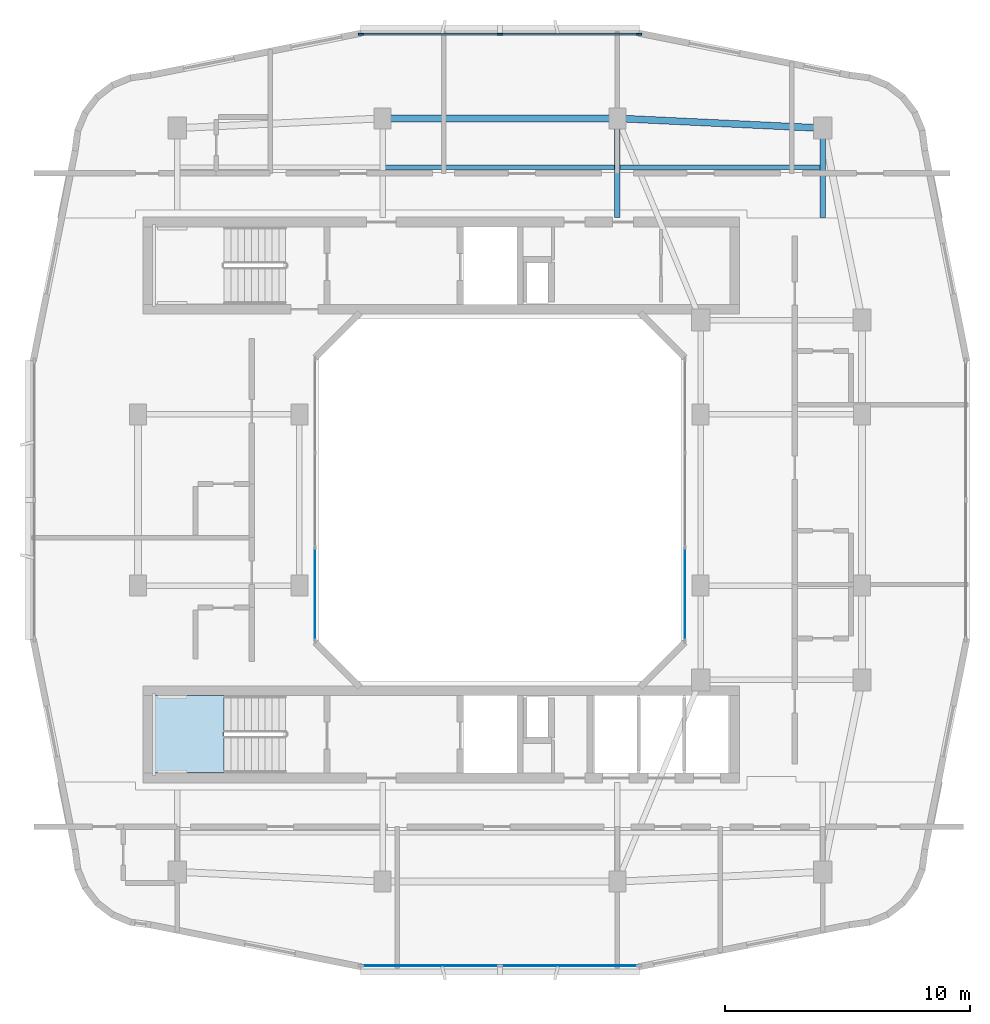
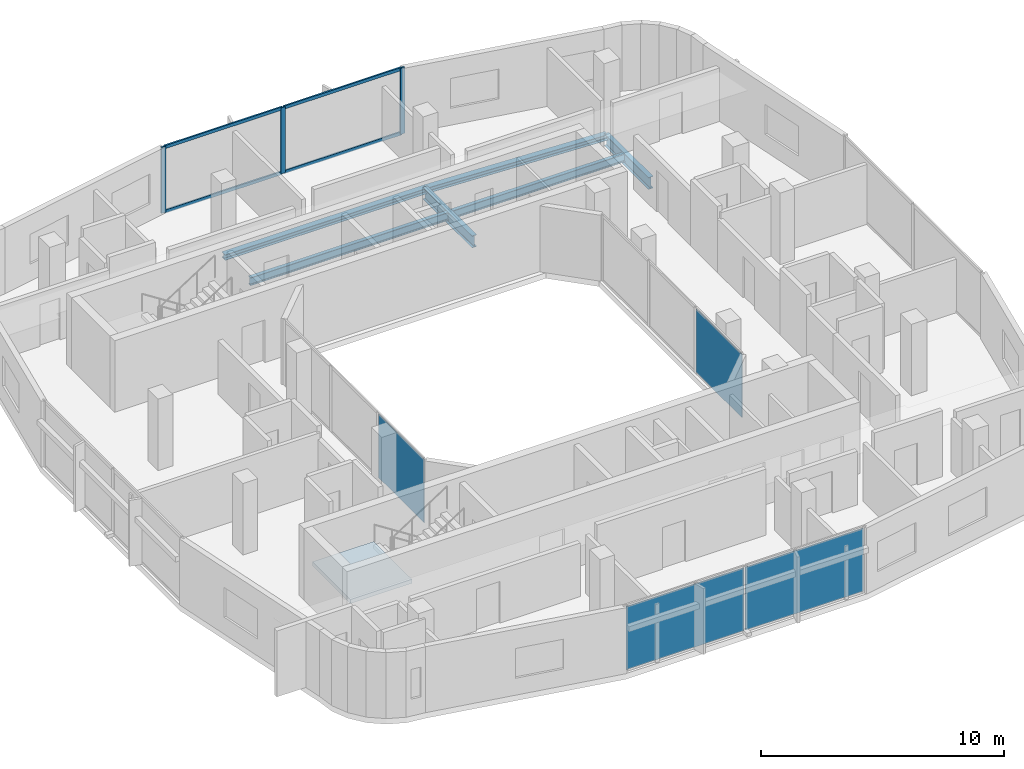
# One storey, part 5 of 14: 7 members, 6 beams, 4 plates, 1 slab, 5 elements without a shape of their own.
"""IFC4 building model written with IfcOpenShell, lengths in metres."""

from ifc_helpers import new_model, si_unit, derived_unit, direction, frame, origin, origin_2d, place, context, subcontext, project, spatial, polyline, rectangle, i_section, outline, extrude, material, layer, layer_set, material_profile, profile_set, type_object, element, aggregate, save


model = new_model("IFC4")

# Units and contexts
model_context = context("Model", 3, precision=1e-05, world=origin(), true_north=direction((0.0, 1.0)))
body_context = subcontext(model_context, "Body", "Model", "MODEL_VIEW")
ifc_project = project(units=[si_unit("LENGTHUNIT", "METRE"), si_unit("AREAUNIT", "SQUARE_METRE"), si_unit("VOLUMEUNIT", "CUBIC_METRE"), si_unit("PLANEANGLEUNIT", "RADIAN"), si_unit("MASSUNIT", "GRAM", prefix="KILO"), derived_unit("THERMALTRANSMITTANCEUNIT", [(si_unit("POWERUNIT", "WATT"), 1), (si_unit("LENGTHUNIT", "METRE"), -2), (si_unit("THERMODYNAMICTEMPERATUREUNIT", "KELVIN"), -1)])], contexts=[model_context])

# Site, building, storey
site_placement = place(None, origin())
site = spatial("IfcSite", under=ifc_project, at=site_placement, CompositionType="ELEMENT")
building_placement = place(site_placement, origin())
building = spatial("IfcBuilding", under=site, at=building_placement, Name="Kivonza Crest Hotel", CompositionType="ELEMENT")
storey_placement = place(building_placement, frame((0.0, 0.0, 209.89990234375)))
storey = spatial("IfcBuildingStorey", under=building, at=storey_placement, Name="L57", CompositionType="ELEMENT", Elevation=209.89990234375)

# Beams
ifc_material_1 = material(Name="Steel S355", Category="steel")
ifc_material_profile_1 = material_profile(ifc_material_1, i_section(OverallWidth=0.280029296875, OverallDepth=0.280029296875, WebThickness=0.010498046875, FlangeThickness=0.01806640625, FilletRadius=0.02392578125, at=origin_2d()), Name="HEB 280")
ifc_profile_set_1 = profile_set([ifc_material_profile_1], Name="Steel S355")
beam_type_1 = type_object("IfcBeamType", Name="BM-HEB280", PredefinedType="SPANDREL", material=ifc_profile_set_1)
beam_1_placement = place(storey_placement, frame((34.199951171875, 40.199951171875, -0.419921875), z_axis=(-0.998867283688, 0.047583080799, 0.0), x_axis=(-0.047583080799, -0.998867283688, 0.0)))
element("IfcBeam", 1, at=beam_1_placement, inside=storey, type_object=beam_type_1, Name="Tower T1 L57 perimeter spandrel NE-N2", PredefinedType="SPANDREL", context=body_context, shape_type="SweptSolid", body=[
    extrude(i_section(OverallWidth=0.280029296875, OverallDepth=0.280029296875, WebThickness=0.010498046875, FlangeThickness=0.01806640625, FilletRadius=0.02392578125, at=origin_2d()), origin(), (0.0, 0.0, 1.0), 8.409423828125),
])
beam_2_placement = place(storey_placement, frame((25.800048828125, 40.60009765625, -0.419921875), z_axis=(-1.0, 0.0, 0.0), x_axis=(0.0, -1.0, 0.0)))
element("IfcBeam", 2, at=beam_2_placement, inside=storey, type_object=beam_type_1, Name="Tower T1 L57 perimeter spandrel N2-N1", PredefinedType="SPANDREL", context=body_context, shape_type="SweptSolid", body=[
    extrude(i_section(OverallWidth=0.280029296875, OverallDepth=0.280029296875, WebThickness=0.010498046875, FlangeThickness=0.01806640625, FilletRadius=0.02392578125, at=origin_2d()), origin(), (0.0, 0.0, 1.0), 9.60009765625),
])
ifc_material_profile_2 = material_profile(ifc_material_1, i_section(OverallWidth=0.179931640625, OverallDepth=0.39990234375, WebThickness=0.008544921875, FlangeThickness=0.013427734375, FilletRadius=0.02099609375, at=origin_2d()), Name="IPE 400")
ifc_profile_set_2 = profile_set([ifc_material_profile_2], Name="Steel S355")
beam_type_2 = type_object("IfcBeamType", Name="BM-IPE400", PredefinedType="JOIST", material=ifc_profile_set_2)
beam_3_placement = place(storey_placement, frame((16.280029296875, 38.60009765625, -0.47998046875), z_axis=(1.0, 0.0, 0.0), x_axis=(0.0, 1.0, 0.0)))
element("IfcBeam", 3, at=beam_3_placement, inside=storey, type_object=beam_type_2, Name="Tower T1 L57 North-Mid floor joist", PredefinedType="JOIST", context=body_context, shape_type="SweptSolid", body=[
    extrude(i_section(OverallWidth=0.179931640625, OverallDepth=0.39990234375, WebThickness=0.008544921875, FlangeThickness=0.013427734375, FilletRadius=0.02099609375, at=origin_2d()), origin(), (0.0, 0.0, 1.0), 9.43994140625),
])
beam_4_placement = place(storey_placement, frame((25.8798828125, 38.60009765625, -0.47998046875), z_axis=(1.0, 0.0, 0.0), x_axis=(0.0, 1.0, 0.0)))
element("IfcBeam", 4, at=beam_4_placement, inside=storey, type_object=beam_type_2, Name="Tower T1 L57 North-East floor joist", PredefinedType="JOIST", context=body_context, shape_type="SweptSolid", body=[
    extrude(i_section(OverallWidth=0.179931640625, OverallDepth=0.39990234375, WebThickness=0.008544921875, FlangeThickness=0.013427734375, FilletRadius=0.02099609375, at=origin_2d()), origin(), (0.0, 0.0, 1.0), 8.240234375),
])
ifc_material_profile_3 = material_profile(ifc_material_1, i_section(OverallWidth=0.219970703125, OverallDepth=0.60009765625, WebThickness=0.011962890625, FlangeThickness=0.01904296875, FilletRadius=0.02392578125, at=origin_2d()), Name="IPE 600")
ifc_profile_set_3 = profile_set([ifc_material_profile_3], Name="Steel S355")
beam_type_3 = type_object("IfcBeamType", Name="BM-IPE600", PredefinedType="BEAM", material=ifc_profile_set_3)
beam_5_placement = place(storey_placement, frame((25.800048828125, 40.60009765625, -0.579833984375), z_axis=(0.0, -1.0, 0.0), x_axis=(1.0, 0.0, 0.0)))
element("IfcBeam", 5, at=beam_5_placement, inside=storey, type_object=beam_type_3, Name="Tower T1 L57 radial core girder RN2", PredefinedType="BEAM", context=body_context, shape_type="SweptSolid", body=[
    extrude(i_section(OverallWidth=0.219970703125, OverallDepth=0.60009765625, WebThickness=0.011962890625, FlangeThickness=0.01904296875, FilletRadius=0.02392578125, at=origin_2d()), origin(), (0.0, 0.0, 1.0), 4.050048828125),
])
beam_6_placement = place(storey_placement, frame((34.199951171875, 40.199951171875, -0.579833984375), z_axis=(0.0, -1.0, 0.0), x_axis=(1.0, 0.0, 0.0)))
element("IfcBeam", 6, at=beam_6_placement, inside=storey, type_object=beam_type_3, Name="Tower T1 L57 radial core girder RNE", PredefinedType="BEAM", context=body_context, shape_type="SweptSolid", body=[
    extrude(i_section(OverallWidth=0.219970703125, OverallDepth=0.60009765625, WebThickness=0.011962890625, FlangeThickness=0.01904296875, FilletRadius=0.02392578125, at=origin_2d()), origin(), (0.0, 0.0, 1.0), 3.64990234375),
])

# Curtain wall, members
ifc_material_2 = material(Name="Anodised bronze aluminium and low-E double glazing", Category="aluminium")
ifc_layer_1 = layer(ifc_material_2, 0.179931640625)
ifc_layer_set_1 = layer_set([ifc_layer_1], Name="Anodised bronze aluminium and low-E double glazing")
curtain_wall_type_1 = type_object("IfcCurtainWallType", Name="CW-SYS-3", PredefinedType="NOTDEFINED", material=ifc_layer_set_1)
curtain_wall_1_placement = place(storey_placement, origin())
curtain_wall_1 = element("IfcCurtainWall", 7, at=curtain_wall_1_placement, inside=storey, type_object=curtain_wall_type_1, Name="L57 unitised curtain wall CW-T1-L57-26", PredefinedType="NOTDEFINED")
ifc_material_3 = material(Name="Anodised bronze aluminium", Category="aluminium")
ifc_material_profile_4 = material_profile(ifc_material_3, rectangle(XDim=0.074951171875, YDim=0.219970703125, at=origin_2d()), Name="CW-M 75x220")
ifc_profile_set_4 = profile_set([ifc_material_profile_4], Name="Anodised bronze aluminium")
member_type_1 = type_object("IfcMemberType", Name="CW-MUL-75x220", PredefinedType="MULLION", material=ifc_profile_set_4)
member_1_placement = place(storey_placement, frame((26.6826171875, 44.0400390625, 0.0), z_axis=(0.0, 0.0, 1.0), x_axis=(0.0, -1.0, 0.0)))
member_1 = element("IfcMember", 8, at=member_1_placement, type_object=member_type_1, Name="CW-3 mullion 1", PredefinedType="MULLION", context=body_context, shape_type="SweptSolid", body=[
    extrude(rectangle(XDim=0.074951171875, YDim=0.219970703125, at=origin_2d()), origin(), (0.0, 0.0, 1.0), 3.320068359375),
])
member_2_placement = place(storey_placement, frame((21.0, 44.0400390625, 0.0), z_axis=(0.0, 0.0, 1.0), x_axis=(0.0, -1.0, 0.0)))
member_2 = element("IfcMember", 9, at=member_2_placement, type_object=member_type_1, Name="CW-3 mullion 2", PredefinedType="MULLION", context=body_context, shape_type="SweptSolid", body=[
    extrude(rectangle(XDim=0.074951171875, YDim=0.219970703125, at=origin_2d()), origin(), (0.0, 0.0, 1.0), 3.320068359375),
])
member_3_placement = place(storey_placement, frame((15.3173828125, 44.0400390625, 0.0), z_axis=(0.0, 0.0, 1.0), x_axis=(0.0, -1.0, 0.0)))
member_3 = element("IfcMember", 10, at=member_3_placement, type_object=member_type_1, Name="CW-3 mullion 3", PredefinedType="MULLION", context=body_context, shape_type="SweptSolid", body=[
    extrude(rectangle(XDim=0.074951171875, YDim=0.219970703125, at=origin_2d()), origin(), (0.0, 0.0, 1.0), 3.320068359375),
])
ifc_material_profile_5 = material_profile(ifc_material_3, rectangle(XDim=0.074951171875, YDim=0.159912109375, at=origin_2d()), Name="CW-T 75x160")
ifc_profile_set_5 = profile_set([ifc_material_profile_5], Name="Anodised bronze aluminium")
member_type_2 = type_object("IfcMemberType", Name="CW-TRN-75x160", PredefinedType="USERDEFINED", material=ifc_profile_set_5)
member_4_placement = place(storey_placement, frame((26.64501953125, 44.0400390625, 0.03759765625), z_axis=(-1.0, 0.0, 0.0), x_axis=(0.0, -1.0, 0.0)))
member_4 = element("IfcMember", 11, at=member_4_placement, type_object=member_type_2, Name="CW-3 transom 1.1", ObjectType="TRANSOM", PredefinedType="USERDEFINED", context=body_context, shape_type="SweptSolid", body=[
    extrude(rectangle(XDim=0.074951171875, YDim=0.159912109375, at=origin_2d()), origin(), (0.0, 0.0, 1.0), 5.607421875),
])
member_5_placement = place(storey_placement, frame((26.64501953125, 44.0400390625, 3.28271484375), z_axis=(-1.0, 0.0, 0.0), x_axis=(0.0, -1.0, 0.0)))
member_5 = element("IfcMember", 12, at=member_5_placement, type_object=member_type_2, Name="CW-3 transom 1.2", ObjectType="TRANSOM", PredefinedType="USERDEFINED", context=body_context, shape_type="SweptSolid", body=[
    extrude(rectangle(XDim=0.074951171875, YDim=0.159912109375, at=origin_2d()), origin(), (0.0, 0.0, 1.0), 5.607421875),
])
member_6_placement = place(storey_placement, frame((20.96240234375, 44.0400390625, 0.03759765625), z_axis=(-1.0, 0.0, 0.0), x_axis=(0.0, -1.0, 0.0)))
member_6 = element("IfcMember", 13, at=member_6_placement, type_object=member_type_2, Name="CW-3 transom 2.1", ObjectType="TRANSOM", PredefinedType="USERDEFINED", context=body_context, shape_type="SweptSolid", body=[
    extrude(rectangle(XDim=0.074951171875, YDim=0.159912109375, at=origin_2d()), origin(), (0.0, 0.0, 1.0), 5.607421875),
])
member_7_placement = place(storey_placement, frame((20.96240234375, 44.0400390625, 3.28271484375), z_axis=(-1.0, 0.0, 0.0), x_axis=(0.0, -1.0, 0.0)))
member_7 = element("IfcMember", 14, at=member_7_placement, type_object=member_type_2, Name="CW-3 transom 2.2", ObjectType="TRANSOM", PredefinedType="USERDEFINED", context=body_context, shape_type="SweptSolid", body=[
    extrude(rectangle(XDim=0.074951171875, YDim=0.159912109375, at=origin_2d()), origin(), (0.0, 0.0, 1.0), 5.607421875),
])
aggregate(curtain_wall_1, [member_1, member_2, member_3, member_4, member_5, member_6, member_7])

# Curtain wall, plate
ifc_layer_2 = layer(ifc_material_2, 0.159912109375)
ifc_layer_set_2 = layer_set([ifc_layer_2], Name="Anodised bronze aluminium and low-E double glazing")
curtain_wall_type_2 = type_object("IfcCurtainWallType", Name="CW-SYS-5", PredefinedType="NOTDEFINED", material=ifc_layer_set_2)
curtain_wall_2_placement = place(storey_placement, origin())
curtain_wall_2 = element("IfcCurtainWall", 15, at=curtain_wall_2_placement, inside=storey, type_object=curtain_wall_type_2, Name="L57 unitised curtain wall CW-WELL-T1-L57-3", PredefinedType="NOTDEFINED")
ifc_material_4 = material(Name="Solar-control low-E double glazing", Category="glass")
ifc_layer_3 = layer(ifc_material_4, 0.028076171875)
ifc_layer_set_3 = layer_set([ifc_layer_3], Name="Solar-control low-E double glazing")
plate_type_1 = type_object("IfcPlateType", Name="CW-PNL-28", PredefinedType="CURTAIN_PANEL", material=ifc_layer_set_3)
plate_1_placement = place(storey_placement, frame((28.56005859375, 21.149658203125, 0.065185546875), z_axis=(0.0, 0.0, 1.0), x_axis=(0.0, 1.0, 0.0)))
plate_1 = element("IfcPlate", 16, at=plate_1_placement, type_object=plate_type_1, Name="CW-5 panel 1.1", PredefinedType="CURTAIN_PANEL", context=body_context, shape_type="SweptSolid", body=[
    extrude(rectangle(XDim=3.769287109375, YDim=0.028076171875, at=origin_2d()), origin(), (0.0, 0.0, 1.0), 3.18994140625),
])
aggregate(curtain_wall_2, [plate_1])

curtain_wall_3_placement = place(storey_placement, origin())
curtain_wall_3 = element("IfcCurtainWall", 17, at=curtain_wall_3_placement, inside=storey, type_object=curtain_wall_type_2, Name="L57 unitised curtain wall CW-WELL-T1-L57-7", PredefinedType="NOTDEFINED")
plate_2_placement = place(storey_placement, frame((13.43994140625, 21.149658203125, 0.065185546875), z_axis=(0.0, 0.0, 1.0), x_axis=(0.0, -1.0, 0.0)))
plate_2 = element("IfcPlate", 18, at=plate_2_placement, type_object=plate_type_1, Name="CW-5 panel 3.1", PredefinedType="CURTAIN_PANEL", context=body_context, shape_type="SweptSolid", body=[
    extrude(rectangle(XDim=3.769287109375, YDim=0.028076171875, at=origin_2d()), origin(), (0.0, 0.0, 1.0), 3.18994140625),
])
aggregate(curtain_wall_3, [plate_2])

# Curtain wall, plates
curtain_wall_4_placement = place(storey_placement, origin())
curtain_wall_4 = element("IfcCurtainWall", 19, at=curtain_wall_4_placement, inside=storey, type_object=curtain_wall_type_1, Name="L57 unitised curtain wall CW-T1-L57-08", PredefinedType="NOTDEFINED")
ifc_material_5 = material(Name="Acoustic triple-laminated low-E glazing", Category="glass")
ifc_layer_4 = layer(ifc_material_5, 0.035888671875)
ifc_layer_set_4 = layer_set([ifc_layer_4], Name="Acoustic triple-laminated low-E glazing")
plate_type_2 = type_object("IfcPlateType", Name="CW-PNL-36", PredefinedType="CURTAIN_PANEL", material=ifc_layer_set_4)
plate_3_placement = place(storey_placement, frame((18.15869140625, 5.9599609375, 0.0751953125), z_axis=(0.0, 0.0, 1.0), x_axis=(1.0, 0.0, 0.0)))
plate_3 = element("IfcPlate", 20, at=plate_3_placement, type_object=plate_type_2, Name="CW-3 panel 1.1", PredefinedType="CURTAIN_PANEL", context=body_context, shape_type="SweptSolid", body=[
    extrude(rectangle(XDim=5.607421875, YDim=0.035888671875, at=origin_2d()), origin(), (0.0, 0.0, 1.0), 3.169921875),
])
plate_4_placement = place(storey_placement, frame((23.84130859375, 5.9599609375, 0.0751953125), z_axis=(0.0, 0.0, 1.0), x_axis=(1.0, 0.0, 0.0)))
plate_4 = element("IfcPlate", 21, at=plate_4_placement, type_object=plate_type_2, Name="CW-3 panel 2.1", PredefinedType="CURTAIN_PANEL", context=body_context, shape_type="SweptSolid", body=[
    extrude(rectangle(XDim=5.607421875, YDim=0.035888671875, at=origin_2d()), origin(), (0.0, 0.0, 1.0), 3.169921875),
])
aggregate(curtain_wall_4, [plate_3, plate_4])

# Stair, slab
ifc_material_6 = material(Name="Concrete C40/50", Category="concrete")
stair_type = type_object("IfcStairType", Name="ST-DL-20R", PredefinedType="HALF_TURN_STAIR", material=ifc_material_6)
stair_placement = place(storey_placement, origin())
stair = element("IfcStair", 22, at=stair_placement, inside=storey, type_object=stair_type, Name="L57 Protected Exit Stair ST-T1-S", PredefinedType="HALF_TURN_STAIR")
ifc_layer_5 = layer(ifc_material_6, 0.199951171875)
ifc_layer_set_5 = layer_set([ifc_layer_5], Name="Concrete C40/50")
slab_type = type_object("IfcSlabType", Name="SL-LAND-200", PredefinedType="LANDING", material=ifc_layer_set_5)
slab_placement = place(storey_placement, frame((0.0, 0.0, 1.60009765625)))
slab = element("IfcSlab", 23, at=slab_placement, type_object=slab_type, Name="ST-T1-S landing 1", PredefinedType="LANDING", context=body_context, shape_type="SweptSolid", body=[
    extrude(outline(polyline([(9.719970703125, 17.0), (6.800048828125, 17.0), (6.800048828125, 13.860107421875), (9.719970703125, 13.860107421875), (9.719970703125, 17.0)])), origin(), (0.0, 0.0, 1.0), 0.199951171875),
])
aggregate(stair, [slab])

save(model, "model.ifc")
